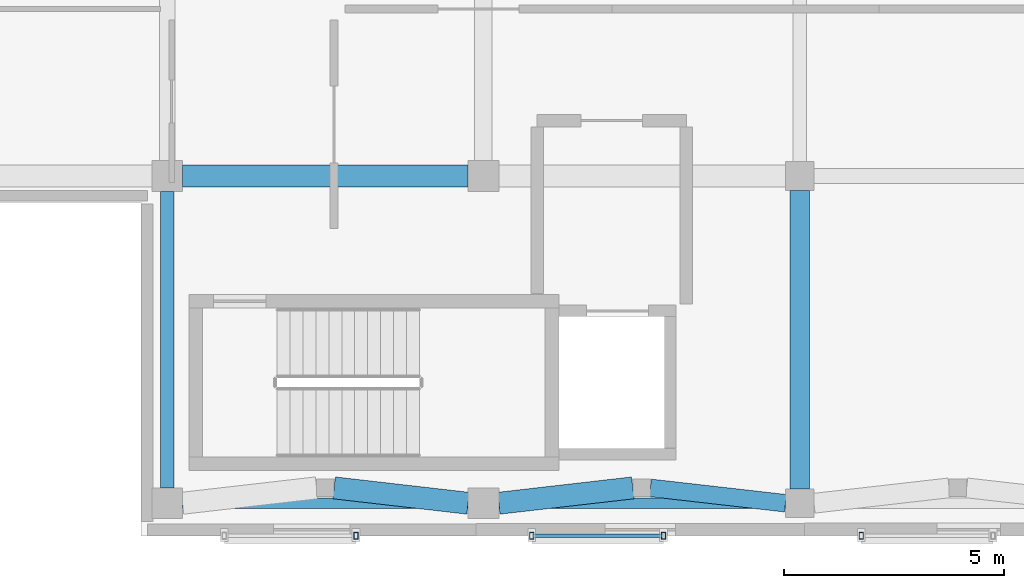
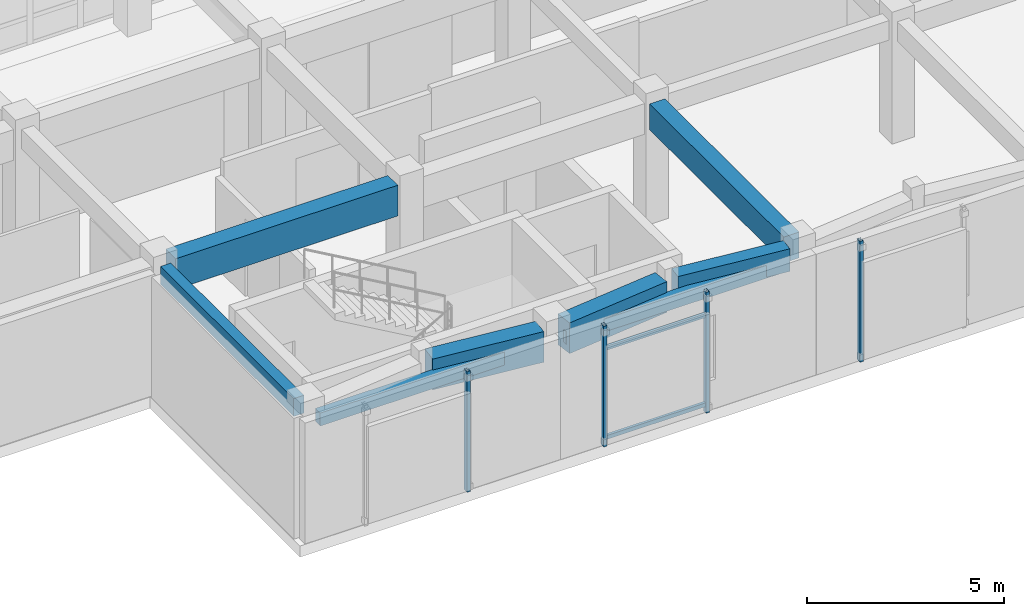
# One storey, part 19 of 146: 8 beams, 6 members.
"""IFC4 building model written with IfcOpenShell, lengths in metres."""

from ifc_helpers import new_model, si_unit, direction, frame, origin, origin_2d, place, context, subcontext, project, spatial, rectangle, hollow_rectangle, extrude, material, material_profile, profile_set, type_object, element, save


model = new_model("IFC4")

# Units and contexts
model_context = context("Model", 3, precision=1e-05, world=origin(), true_north=direction((0.0, 1.0)))
body_context = subcontext(model_context, "Body", "Model", "MODEL_VIEW")
ifc_project = project(units=[si_unit("LENGTHUNIT", "METRE"), si_unit("AREAUNIT", "SQUARE_METRE"), si_unit("VOLUMEUNIT", "CUBIC_METRE"), si_unit("PLANEANGLEUNIT", "RADIAN"), si_unit("MASSUNIT", "GRAM", prefix="KILO")], contexts=[model_context])

# Site, building, storey
site_placement = place(None, origin())
site = spatial("IfcSite", under=ifc_project, at=site_placement, CompositionType="ELEMENT")
building_placement = place(site_placement, origin())
building = spatial("IfcBuilding", under=site, at=building_placement, Name="Valcora Specialist Clinic", CompositionType="ELEMENT")
storey_placement = place(building_placement, frame((0.0, 0.0, 9.52001953125)))
storey = spatial("IfcBuildingStorey", under=building, at=storey_placement, Name="L02", CompositionType="ELEMENT", Elevation=9.52001953125)

# Beams
ifc_material_1 = material(Name="Concrete C40/50", Category="concrete")
ifc_material_profile_1 = material_profile(ifc_material_1, rectangle(XDim=0.300048828125, YDim=0.550048828125, at=origin_2d()), Name="RC-BM-300X550")
ifc_profile_set_1 = profile_set([ifc_material_profile_1], Name="Concrete C40/50")
beam_type_1 = type_object("IfcBeamType", Name="TY-BM-RC300X550", PredefinedType="BEAM", material=ifc_profile_set_1)
beam_1_placement = place(storey_placement, frame((16.199951171875, 1.10009765625, 3.4599609375), z_axis=(0.0, 1.0, 0.0), x_axis=(-1.0, 0.0, 0.0)))
element("IfcBeam", 1, at=beam_1_placement, inside=storey, type_object=beam_type_1, Name="Beam BM-L02-1013", PredefinedType="BEAM", context=body_context, shape_type="SweptSolid", body=[
    extrude(rectangle(XDim=0.300048828125, YDim=0.550048828125, at=origin_2d()), origin(), (0.0, 0.0, 1.0), 6.75),
])
ifc_material_profile_2 = material_profile(ifc_material_1, rectangle(XDim=0.39990234375, YDim=0.699951171875, at=origin_2d()), Name="RC-BM-400X700")
ifc_profile_set_2 = profile_set([ifc_material_profile_2], Name="Concrete C40/50")
beam_type_2 = type_object("IfcBeamType", Name="TY-BM-RC400X700", PredefinedType="BEAM", material=ifc_profile_set_2)
beam_2_placement = place(storey_placement, frame((27.199951171875, 1.10009765625, 3.385009765625), z_axis=(0.993580893822, -0.113123858812, 0.0), x_axis=(0.113123858812, 0.993580893822, 0.0)))
element("IfcBeam", 2, at=beam_2_placement, inside=storey, type_object=beam_type_2, Name="Beam BM-L02-0982", PredefinedType="BEAM", context=body_context, shape_type="SweptSolid", body=[
    extrude(rectangle(XDim=0.39990234375, YDim=0.699951171875, at=origin_2d()), origin(), (0.0, 0.0, 1.0), 3.0947265625),
])
ifc_material_profile_3 = material_profile(ifc_material_1, rectangle(XDim=0.449951171875, YDim=0.800048828125, at=origin_2d()), Name="RC-BM-450X800")
ifc_profile_set_3 = profile_set([ifc_material_profile_3], Name="Concrete C40/50")
beam_type_3 = type_object("IfcBeamType", Name="TY-BM-RC450X800", PredefinedType="BEAM", material=ifc_profile_set_3)
beam_3_placement = place(storey_placement, frame((30.60009765625, 1.074951171875, 3.3349609375), z_axis=(0.0, 1.0, 0.0), x_axis=(-1.0, 0.0, 0.0)))
element("IfcBeam", 3, at=beam_3_placement, inside=storey, type_object=beam_type_3, Name="Beam BM-L02-1018", PredefinedType="BEAM", context=body_context, shape_type="SweptSolid", body=[
    extrude(rectangle(XDim=0.449951171875, YDim=0.800048828125, at=origin_2d()), origin(), (0.0, 0.0, 1.0), 6.800048828125),
])
ifc_material_profile_4 = material_profile(ifc_material_1, rectangle(XDim=0.5, YDim=0.949951171875, at=origin_2d()), Name="RC-BM-500X950")
ifc_profile_set_4 = profile_set([ifc_material_profile_4], Name="Concrete C40/50")
beam_type_4 = type_object("IfcBeamType", Name="TY-BM-TR500X950", PredefinedType="BEAM", material=ifc_profile_set_4)
for number, where, z_axis, x_axis, name in (
    (4, (20.0, 1.10009765625, 3.260009765625), (0.993476675025, -0.114035504041, 0.0), (0.114035504041, 0.993476675025, 0.0), "Beam BM-L02-0980"),
    (5, (23.75, 0.75, 3.260009765625), (0.993476675025, 0.114035504041, 0.0), (-0.114035504041, 0.993476675025, 0.0), "Beam BM-L02-0981"),
):
    element("IfcBeam", number, at=place(storey_placement, frame(where, z_axis=z_axis, x_axis=x_axis)), inside=storey, type_object=beam_type_4, Name=name, PredefinedType="BEAM", context=body_context, shape_type="SweptSolid", body=[
        extrude(rectangle(XDim=0.5, YDim=0.949951171875, at=origin_2d()), origin(), (0.0, 0.0, 1.0), 3.070068359375),
    ])
beam_4_placement = place(storey_placement, frame((16.550048828125, 8.199951171875, 3.260009765625), z_axis=(1.0, 0.0, 0.0), x_axis=(0.0, 1.0, 0.0)))
element("IfcBeam", 6, at=beam_4_placement, inside=storey, type_object=beam_type_4, Name="Beam BM-L02-0990", PredefinedType="BEAM", context=body_context, shape_type="SweptSolid", body=[
    extrude(rectangle(XDim=0.5, YDim=0.949951171875, at=origin_2d()), origin(), (0.0, 0.0, 1.0), 6.5),
])
ifc_material_profile_5 = material_profile(ifc_material_1, rectangle(XDim=0.25, YDim=0.39990234375, at=origin_2d()), Name="RC-LN-250X400")
ifc_profile_set_5 = profile_set([ifc_material_profile_5], Name="Concrete C40/50")
beam_type_5 = type_object("IfcBeamType", Name="TY-LN-RC250X400", PredefinedType="LINTEL", material=ifc_profile_set_5)
beam_5_placement = place(storey_placement, frame((16.550048828125, 0.75, 3.199951171875), z_axis=(1.0, 0.0, 0.0), x_axis=(0.0, 1.0, 0.0)))
element("IfcBeam", 7, at=beam_5_placement, inside=storey, type_object=beam_type_5, Name="Facade lintel 1 BM-L02-1650", PredefinedType="LINTEL", context=body_context, shape_type="SweptSolid", body=[
    extrude(rectangle(XDim=0.25, YDim=0.39990234375, at=origin_2d()), origin(), (0.0, 0.0, 1.0), 6.5),
])
beam_6_placement = place(storey_placement, frame((23.75, 0.75, 3.199951171875), z_axis=(1.0, 0.0, 0.0), x_axis=(0.0, 1.0, 0.0)))
element("IfcBeam", 8, at=beam_6_placement, inside=storey, type_object=beam_type_5, Name="Facade lintel 2 BM-L02-1651", PredefinedType="LINTEL", context=body_context, shape_type="SweptSolid", body=[
    extrude(rectangle(XDim=0.25, YDim=0.39990234375, at=origin_2d()), origin(), (0.0, 0.0, 1.0), 6.52490234375),
])

# Members
ifc_material_2 = material(Name="Steel ASTM A500 Grade C", Category="steel")
ifc_material_profile_6 = material_profile(ifc_material_2, hollow_rectangle(XDim=0.10009765625, YDim=0.14990234375, WallThickness=0.006103515625, at=origin_2d()), Name="ST-RHS-150X100X6")
ifc_profile_set_6 = profile_set([ifc_material_profile_6], Name="Steel ASTM A500 Grade C")
member_type_1 = type_object("IfcMemberType", Name="TY-MB-SFPOST", PredefinedType="POST", material=ifc_profile_set_6)
for number, where, z_axis, x_axis, name in (
    (9, (20.5, 0.010009765625, 0.0), (0.0, 0.0, 1.0), (1.0, 0.0, 0.0), "Brick screen carrier post 82"),
    (10, (24.5, 0.010009765625, 0.0), (0.0, 0.0, 1.0), (1.0, 0.0, 0.0), "Brick screen carrier post 85"),
    (11, (27.5, 0.010009765625, 0.0), (0.0, 0.0, 1.0), (1.0, 0.0, 0.0), "Brick screen carrier post 86"),
    (12, (32.0, 0.010009765625, 0.0), (0.0, 0.0, 1.0), (1.0, 0.0, 0.0), "Brick screen carrier post 89"),
):
    element("IfcMember", number, at=place(storey_placement, frame(where, z_axis=z_axis, x_axis=x_axis)), inside=storey, type_object=member_type_1, Name=name, PredefinedType="POST", context=body_context, shape_type="SweptSolid", body=[
        extrude(hollow_rectangle(XDim=0.10009765625, YDim=0.14990234375, WallThickness=0.006103515625, at=origin_2d()), origin(), (0.0, 0.0, 1.0), 3.73486328125),
    ])
ifc_material_profile_7 = material_profile(ifc_material_2, hollow_rectangle(XDim=0.080078125, YDim=0.1201171875, WallThickness=0.0048828125, at=origin_2d()), Name="ST-RHS-120X80X5")
ifc_profile_set_7 = profile_set([ifc_material_profile_7], Name="Steel ASTM A500 Grade C")
member_type_2 = type_object("IfcMemberType", Name="TY-MB-SFRAIL", PredefinedType="STRINGER", material=ifc_profile_set_7)
for number, where, z_axis, x_axis, name in (
    (13, (24.5, 0.010009765625, 0.239990234375), (1.0, 0.0, 0.0), (0.0, 1.0, 0.0), "Brick screen carrier rail 87"),
    (14, (24.5, 0.010009765625, 3.0), (1.0, 0.0, 0.0), (0.0, 1.0, 0.0), "Brick screen carrier rail 88"),
):
    element("IfcMember", number, at=place(storey_placement, frame(where, z_axis=z_axis, x_axis=x_axis)), inside=storey, type_object=member_type_2, Name=name, PredefinedType="STRINGER", context=body_context, shape_type="SweptSolid", body=[
        extrude(hollow_rectangle(XDim=0.080078125, YDim=0.1201171875, WallThickness=0.0048828125, at=origin_2d()), origin(), (0.0, 0.0, 1.0), 3.0),
    ])

save(model, "model.ifc")
